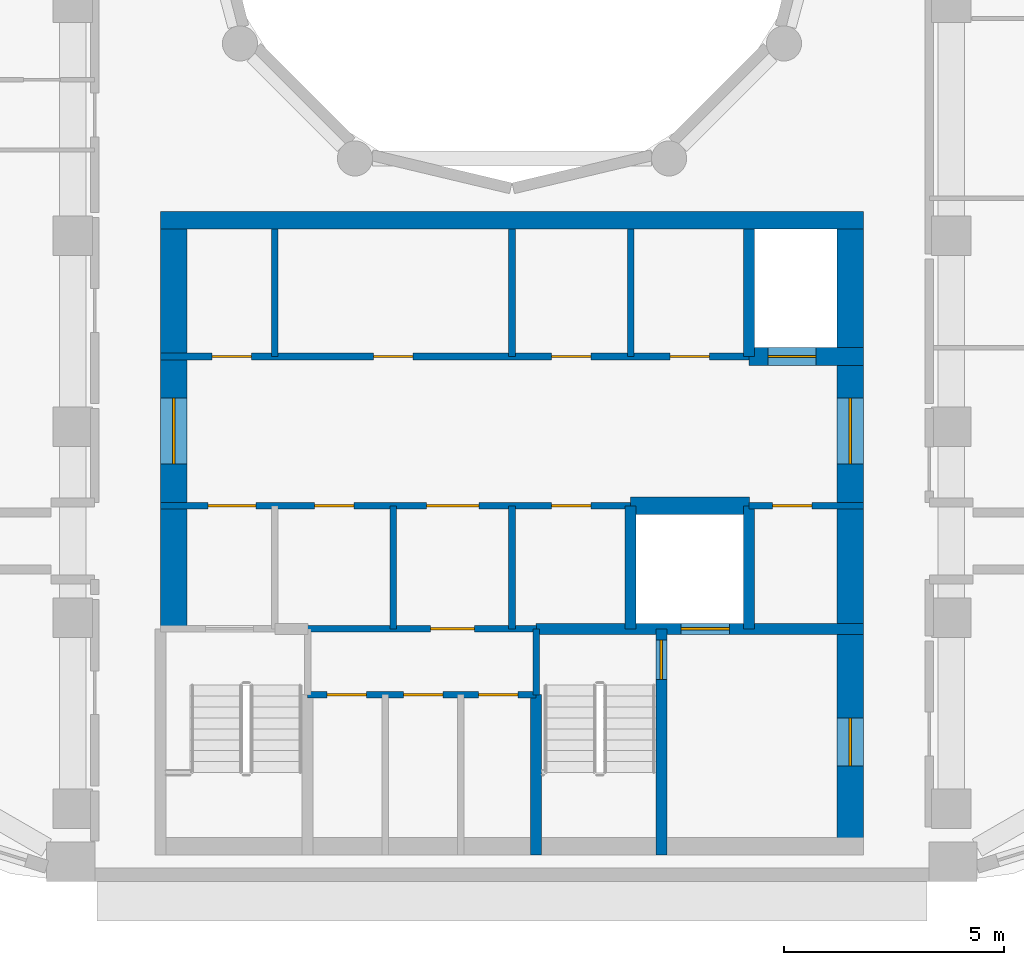
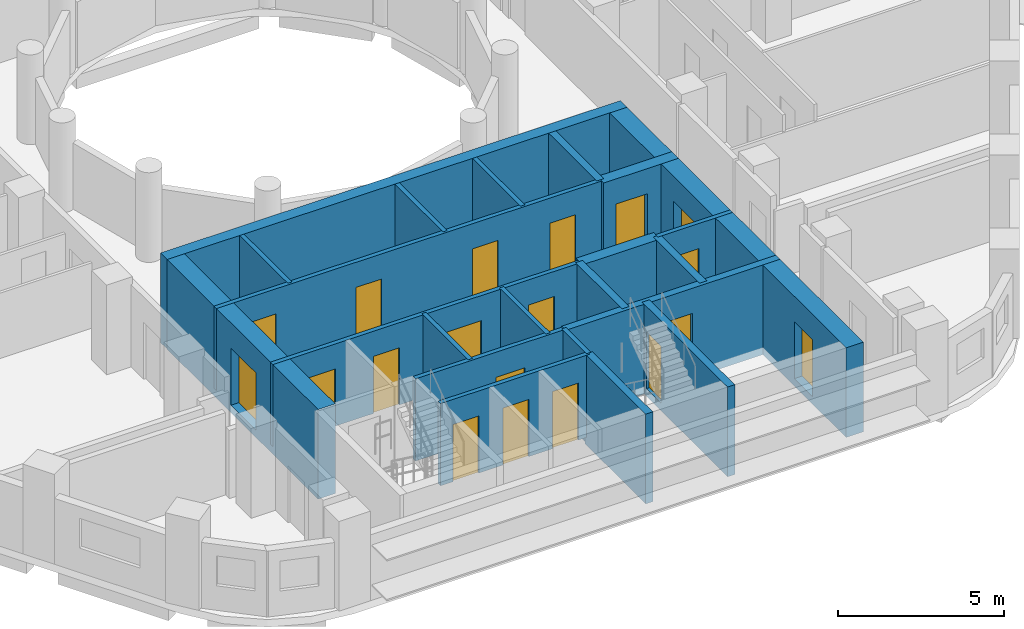
# One storey, part 3 of 12: 22 walls, 19 doors, 19 openings.
"""IFC4 building model written with IfcOpenShell, lengths in metres."""

from ifc_helpers import new_model, si_unit, direction, frame, frame_2d, origin, place, context, subcontext, project, spatial, rectangle, extrude, material, layer, layer_set, type_object, element, fill, save


model = new_model("IFC4")

# Units and contexts
model_context = context("Model", 3, precision=1e-05, world=origin(), true_north=direction((0.0, 1.0)))
body_context = subcontext(model_context, "Body", "Model", "MODEL_VIEW")
ifc_project = project(units=[si_unit("LENGTHUNIT", "METRE"), si_unit("AREAUNIT", "SQUARE_METRE"), si_unit("VOLUMEUNIT", "CUBIC_METRE"), si_unit("PLANEANGLEUNIT", "RADIAN"), si_unit("MASSUNIT", "GRAM", prefix="KILO")], contexts=[model_context])

# Site, building, storey
site_placement = place(None, origin())
site = spatial("IfcSite", under=ifc_project, at=site_placement, CompositionType="ELEMENT")
building_placement = place(site_placement, origin())
building = spatial("IfcBuilding", under=site, at=building_placement, Name="Nakaniwa Court", CompositionType="ELEMENT")
storey_placement = place(building_placement, frame((0.0, 0.0, 249.300048828125)))
storey = spatial("IfcBuildingStorey", under=building, at=storey_placement, Name="L65", CompositionType="ELEMENT", Elevation=249.300048828125)

# Wall
ifc_material_1 = material(Name="Blockwork partition", Category="masonry")
ifc_layer_1 = layer(ifc_material_1, 0.14990234375)
ifc_layer_set_1 = layer_set([ifc_layer_1], Name="Blockwork partition")
wall_type_1 = type_object("IfcWallType", Name="Blockwork partition 150", PredefinedType="PARTITIONING", material=ifc_layer_set_1)
wall_1_placement = place(storey_placement, frame((74.60009765625, 69.300048828125, 0.0), z_axis=(0.0, 0.0, 1.0), x_axis=(0.0, 1.0, 0.0)))
element("IfcWall", 1, at=wall_1_placement, inside=storey, type_object=wall_type_1, Name="Partition PW-031", PredefinedType="PARTITIONING", context=body_context, shape_type="SweptSolid", body=[
    extrude(rectangle(XDim=2.89990234375, YDim=0.14990234375, at=frame_2d((1.449951171875, 0.0))), origin(), (0.0, 0.0, 1.0), 3.02490234375),
])

# Wall, openings, doors
wall_2_placement = place(storey_placement, frame((72.0, 69.300048828125, 0.0), z_axis=(0.0, 0.0, 1.0), x_axis=(1.0, 0.0, 0.0)))
wall_2 = element("IfcWall", 2, at=wall_2_placement, inside=storey, type_object=wall_type_1, Name="Partition PW-032", PredefinedType="PARTITIONING", context=body_context, shape_type="SweptSolid", body=[
    extrude(rectangle(XDim=13.39990234375, YDim=0.14990234375, at=frame_2d((6.699951171875, 0.0))), origin(), (0.0, 0.0, 1.0), 3.02490234375),
])
opening_1_placement = place(wall_2_placement, frame((1.175048828125, 0.0, 0.0)))
opening_1 = element("IfcOpeningElement", 3, at=opening_1_placement, cuts=wall_2, Name="Opening D-05-11", PredefinedType="OPENING", context=body_context, shape_type="SweptSolid", body=[
    extrude(rectangle(XDim=0.89990234375, YDim=2.10009765625, at=frame_2d((0.449951171875, 1.050048828125))), frame((0.0, 0.0849609375, 0.0), z_axis=(0.0, -1.0, 0.0), x_axis=(1.0, 0.0, 0.0)), (0.0, 0.0, 1.0), 0.169921875),
])
opening_2_placement = place(wall_2_placement, frame((4.85009765625, 0.0, 0.0)))
opening_2 = element("IfcOpeningElement", 4, at=opening_2_placement, cuts=wall_2, Name="Opening D-05-12", PredefinedType="OPENING", context=body_context, shape_type="SweptSolid", body=[
    extrude(rectangle(XDim=0.89990234375, YDim=2.10009765625, at=frame_2d((0.449951171875, 1.050048828125))), frame((0.0, 0.0849609375, 0.0), z_axis=(0.0, -1.0, 0.0), x_axis=(1.0, 0.0, 0.0)), (0.0, 0.0, 1.0), 0.169921875),
])
opening_3_placement = place(wall_2_placement, frame((8.89990234375, 0.0, 0.0)))
opening_3 = element("IfcOpeningElement", 5, at=opening_3_placement, cuts=wall_2, Name="Opening D-05-13", PredefinedType="OPENING", context=body_context, shape_type="SweptSolid", body=[
    extrude(rectangle(XDim=0.89990234375, YDim=2.10009765625, at=frame_2d((0.449951171875, 1.050048828125))), frame((0.0, 0.0849609375, 0.0), z_axis=(0.0, -1.0, 0.0), x_axis=(1.0, 0.0, 0.0)), (0.0, 0.0, 1.0), 0.169921875),
])
opening_4_placement = place(wall_2_placement, frame((11.60009765625, 0.0, 0.0)))
opening_4 = element("IfcOpeningElement", 6, at=opening_4_placement, cuts=wall_2, Name="Opening D-05-14", PredefinedType="OPENING", context=body_context, shape_type="SweptSolid", body=[
    extrude(rectangle(XDim=0.89990234375, YDim=2.10009765625, at=frame_2d((0.449951171875, 1.050048828125))), frame((0.0, 0.0849609375, 0.0), z_axis=(0.0, -1.0, 0.0), x_axis=(1.0, 0.0, 0.0)), (0.0, 0.0, 1.0), 0.169921875),
])
ifc_material_2 = material(Name="Fire rated steel door set", Category="steel")
door_type_1 = type_object("IfcDoorType", Name="Service room door 900", OperationType="NOTDEFINED", PredefinedType="DOOR", material=ifc_material_2)
door_1_placement = place(opening_1_placement, origin())
door_1 = element("IfcDoor", 7, at=door_1_placement, inside=storey, type_object=door_type_1, Name="Door D-05-11 L65-016", OperationType="SINGLE_SWING_LEFT", OverallHeight=2.10009765625, OverallWidth=0.89990234375, PredefinedType="DOOR", context=body_context, shape_type="SweptSolid", body=[
    extrude(rectangle(XDim=0.89990234375, YDim=2.10009765625, at=frame_2d((0.449951171875, 1.050048828125))), frame((0.0, 0.02490234375, 0.0), z_axis=(0.0, -1.0, 0.0), x_axis=(1.0, 0.0, 0.0)), (0.0, 0.0, 1.0), 0.050048828125),
])
fill(opening_1, door_1)
door_2_placement = place(opening_2_placement, origin())
door_2 = element("IfcDoor", 8, at=door_2_placement, inside=storey, type_object=door_type_1, Name="Door D-05-12 L65-017", OperationType="SINGLE_SWING_RIGHT", OverallHeight=2.10009765625, OverallWidth=0.89990234375, PredefinedType="DOOR", context=body_context, shape_type="SweptSolid", body=[
    extrude(rectangle(XDim=0.89990234375, YDim=2.10009765625, at=frame_2d((0.449951171875, 1.050048828125))), frame((0.0, 0.02490234375, 0.0), z_axis=(0.0, -1.0, 0.0), x_axis=(1.0, 0.0, 0.0)), (0.0, 0.0, 1.0), 0.050048828125),
])
fill(opening_2, door_2)
door_3_placement = place(opening_3_placement, origin())
door_3 = element("IfcDoor", 9, at=door_3_placement, inside=storey, type_object=door_type_1, Name="Door D-05-13 L65-018", OperationType="SINGLE_SWING_LEFT", OverallHeight=2.10009765625, OverallWidth=0.89990234375, PredefinedType="DOOR", context=body_context, shape_type="SweptSolid", body=[
    extrude(rectangle(XDim=0.89990234375, YDim=2.10009765625, at=frame_2d((0.449951171875, 1.050048828125))), frame((0.0, 0.02490234375, 0.0), z_axis=(0.0, -1.0, 0.0), x_axis=(1.0, 0.0, 0.0)), (0.0, 0.0, 1.0), 0.050048828125),
])
fill(opening_3, door_3)
door_4_placement = place(opening_4_placement, origin())
door_4 = element("IfcDoor", 10, at=door_4_placement, inside=storey, type_object=door_type_1, Name="Door D-05-14 L65-019", OperationType="SINGLE_SWING_RIGHT", OverallHeight=2.10009765625, OverallWidth=0.89990234375, PredefinedType="DOOR", context=body_context, shape_type="SweptSolid", body=[
    extrude(rectangle(XDim=0.89990234375, YDim=2.10009765625, at=frame_2d((0.449951171875, 1.050048828125))), frame((0.0, 0.02490234375, 0.0), z_axis=(0.0, -1.0, 0.0), x_axis=(1.0, 0.0, 0.0)), (0.0, 0.0, 1.0), 0.050048828125),
])
fill(opening_4, door_4)

# Walls
wall_3_placement = place(storey_placement, frame((80.0, 63.10009765625, 0.0), z_axis=(0.0, 0.0, 1.0), x_axis=(0.0, 1.0, 0.0)))
element("IfcWall", 11, at=wall_3_placement, inside=storey, type_object=wall_type_1, Name="Partition PW-038", PredefinedType="PARTITIONING", context=body_context, shape_type="SweptSolid", body=[
    extrude(rectangle(XDim=2.7998046875, YDim=0.14990234375, at=frame_2d((1.39990234375, 0.0))), origin(), (0.0, 0.0, 1.0), 3.02490234375),
])
for number, where, z_axis, x_axis, name in (
    (12, (80.0, 69.300048828125, 0.0), (0.0, 0.0, 1.0), (0.0, 1.0, 0.0), "Partition PW-039"),
    (13, (82.699951171875, 69.300048828125, 0.0), (0.0, 0.0, 1.0), (0.0, 1.0, 0.0), "Partition PW-040"),
):
    element("IfcWall", number, at=place(storey_placement, frame(where, z_axis=z_axis, x_axis=x_axis)), inside=storey, type_object=wall_type_1, Name=name, PredefinedType="PARTITIONING", context=body_context, shape_type="SweptSolid", body=[
        extrude(rectangle(XDim=2.89990234375, YDim=0.14990234375, at=frame_2d((1.449951171875, 0.0))), origin(), (0.0, 0.0, 1.0), 3.02490234375),
    ])

# Wall, openings, doors
wall_4_placement = place(storey_placement, frame((82.702880859375, 65.89990234375, 0.0), z_axis=(0.0, 0.0, 1.0), x_axis=(-1.0, 0.0, 0.0)))
wall_4 = element("IfcWall", 14, at=wall_4_placement, inside=storey, type_object=wall_type_1, Name="Partition PW-041", PredefinedType="PARTITIONING", context=body_context, shape_type="SweptSolid", body=[
    extrude(rectangle(XDim=10.702880859375, YDim=0.14990234375, at=frame_2d((5.3515625, 0.0))), origin(), (0.0, 0.0, 1.0), 3.02490234375),
])
opening_5_placement = place(wall_4_placement, frame((8.528076171875, 0.0, 0.0)))
opening_5 = element("IfcOpeningElement", 15, at=opening_5_placement, cuts=wall_4, Name="Opening D-08-02", PredefinedType="OPENING", context=body_context, shape_type="SweptSolid", body=[
    extrude(rectangle(XDim=1.10009765625, YDim=2.10009765625, at=frame_2d((0.550048828125, 1.050048828125))), frame((0.0, 0.0849609375, 0.0), z_axis=(0.0, -1.0, 0.0), x_axis=(1.0, 0.0, 0.0)), (0.0, 0.0, 1.0), 0.169921875),
])
opening_6_placement = place(wall_4_placement, frame((6.302978515625, 0.0, 0.0)))
opening_6 = element("IfcOpeningElement", 16, at=opening_6_placement, cuts=wall_4, Name="Opening D-05-15", PredefinedType="OPENING", context=body_context, shape_type="SweptSolid", body=[
    extrude(rectangle(XDim=0.89990234375, YDim=2.10009765625, at=frame_2d((0.449951171875, 1.050048828125))), frame((0.0, 0.0849609375, 0.0), z_axis=(0.0, -1.0, 0.0), x_axis=(1.0, 0.0, 0.0)), (0.0, 0.0, 1.0), 0.169921875),
])
opening_7_placement = place(wall_4_placement, frame((3.452880859375, 0.0, 0.0)))
opening_7 = element("IfcOpeningElement", 17, at=opening_7_placement, cuts=wall_4, Name="Opening D-06-02", PredefinedType="OPENING", context=body_context, shape_type="SweptSolid", body=[
    extrude(rectangle(XDim=1.199951171875, YDim=2.10009765625, at=frame_2d((0.60009765625, 1.050048828125))), frame((0.0, 0.0849609375, 0.0), z_axis=(0.0, -1.0, 0.0), x_axis=(1.0, 0.0, 0.0)), (0.0, 0.0, 1.0), 0.169921875),
])
opening_8_placement = place(wall_4_placement, frame((0.903076171875, 0.0, 0.0)))
opening_8 = element("IfcOpeningElement", 18, at=opening_8_placement, cuts=wall_4, Name="Opening D-05-16", PredefinedType="OPENING", context=body_context, shape_type="SweptSolid", body=[
    extrude(rectangle(XDim=0.89990234375, YDim=2.10009765625, at=frame_2d((0.449951171875, 1.050048828125))), frame((0.0, 0.0849609375, 0.0), z_axis=(0.0, -1.0, 0.0), x_axis=(1.0, 0.0, 0.0)), (0.0, 0.0, 1.0), 0.169921875),
])
ifc_material_3 = material(Name="Fire rated steel double door set", Category="steel")
door_type_2 = type_object("IfcDoorType", Name="Service passage double door 1200", OperationType="NOTDEFINED", PredefinedType="DOOR", material=ifc_material_3)
door_5_placement = place(opening_7_placement, origin())
door_5 = element("IfcDoor", 19, at=door_5_placement, inside=storey, type_object=door_type_2, Name="Door D-06-02 L65-022", OperationType="DOUBLE_DOOR_SINGLE_SWING", OverallHeight=2.10009765625, OverallWidth=1.199951171875, PredefinedType="DOOR", context=body_context, shape_type="SweptSolid", body=[
    extrude(rectangle(XDim=1.199951171875, YDim=2.10009765625, at=frame_2d((0.60009765625, 1.050048828125))), frame((0.0, 0.02490234375, 0.0), z_axis=(0.0, -1.0, 0.0), x_axis=(1.0, 0.0, 0.0)), (0.0, 0.0, 1.0), 0.050048828125),
])
fill(opening_7, door_5)
door_6_placement = place(opening_6_placement, origin())
door_6 = element("IfcDoor", 20, at=door_6_placement, inside=storey, type_object=door_type_1, Name="Door D-05-15 L65-021", OperationType="SINGLE_SWING_RIGHT", OverallHeight=2.10009765625, OverallWidth=0.89990234375, PredefinedType="DOOR", context=body_context, shape_type="SweptSolid", body=[
    extrude(rectangle(XDim=0.89990234375, YDim=2.10009765625, at=frame_2d((0.449951171875, 1.050048828125))), frame((0.0, 0.02490234375, 0.0), z_axis=(0.0, -1.0, 0.0), x_axis=(1.0, 0.0, 0.0)), (0.0, 0.0, 1.0), 0.050048828125),
])
fill(opening_6, door_6)
door_7_placement = place(opening_8_placement, origin())
door_7 = element("IfcDoor", 21, at=door_7_placement, inside=storey, type_object=door_type_1, Name="Door D-05-16 L65-023", OperationType="SINGLE_SWING_RIGHT", OverallHeight=2.10009765625, OverallWidth=0.89990234375, PredefinedType="DOOR", context=body_context, shape_type="SweptSolid", body=[
    extrude(rectangle(XDim=0.89990234375, YDim=2.10009765625, at=frame_2d((0.449951171875, 1.050048828125))), frame((0.0, 0.02490234375, 0.0), z_axis=(0.0, -1.0, 0.0), x_axis=(1.0, 0.0, 0.0)), (0.0, 0.0, 1.0), 0.050048828125),
])
fill(opening_8, door_7)
door_type_3 = type_object("IfcDoorType", Name="Stair lobby door 1100", OperationType="NOTDEFINED", PredefinedType="DOOR", material=ifc_material_2)
door_8_placement = place(opening_5_placement, origin())
door_8 = element("IfcDoor", 22, at=door_8_placement, inside=storey, type_object=door_type_3, Name="Door D-08-02 L65-020", OperationType="SINGLE_SWING_LEFT", OverallHeight=2.10009765625, OverallWidth=1.10009765625, PredefinedType="DOOR", context=body_context, shape_type="SweptSolid", body=[
    extrude(rectangle(XDim=1.10009765625, YDim=2.10009765625, at=frame_2d((0.550048828125, 1.050048828125))), frame((0.0, 0.02490234375, 0.0), z_axis=(0.0, -1.0, 0.0), x_axis=(1.0, 0.0, 0.0)), (0.0, 0.0, 1.0), 0.050048828125),
])
fill(opening_5, door_8)

# Wall, opening, door
wall_5_placement = place(storey_placement, frame((88.0, 65.89990234375, 0.0), z_axis=(0.0, 0.0, 1.0), x_axis=(-1.0, 0.0, 0.0)))
wall_5 = element("IfcWall", 23, at=wall_5_placement, inside=storey, type_object=wall_type_1, Name="Partition PW-042", PredefinedType="PARTITIONING", context=body_context, shape_type="SweptSolid", body=[
    extrude(rectangle(XDim=2.60302734375, YDim=0.14990234375, at=frame_2d((1.301513671875, 0.0))), origin(), (0.0, 0.0, 1.0), 3.02490234375),
])
opening_9_placement = place(wall_5_placement, frame((1.175048828125, 0.0, 0.0)))
opening_9 = element("IfcOpeningElement", 24, at=opening_9_placement, cuts=wall_5, Name="Opening D-05-17", PredefinedType="OPENING", context=body_context, shape_type="SweptSolid", body=[
    extrude(rectangle(XDim=0.89990234375, YDim=2.10009765625, at=frame_2d((0.449951171875, 1.050048828125))), frame((0.0, 0.0849609375, 0.0), z_axis=(0.0, -1.0, 0.0), x_axis=(1.0, 0.0, 0.0)), (0.0, 0.0, 1.0), 0.169921875),
])
door_9_placement = place(opening_9_placement, origin())
door_9 = element("IfcDoor", 25, at=door_9_placement, inside=storey, type_object=door_type_1, Name="Door D-05-17 L65-024", OperationType="SINGLE_SWING_LEFT", OverallHeight=2.10009765625, OverallWidth=0.89990234375, PredefinedType="DOOR", context=body_context, shape_type="SweptSolid", body=[
    extrude(rectangle(XDim=0.89990234375, YDim=2.10009765625, at=frame_2d((0.449951171875, 1.050048828125))), frame((0.0, 0.02490234375, 0.0), z_axis=(0.0, -1.0, 0.0), x_axis=(1.0, 0.0, 0.0)), (0.0, 0.0, 1.0), 0.050048828125),
])
fill(opening_9, door_9)

# Wall
wall_6_placement = place(storey_placement, frame((77.300048828125, 63.10009765625, 0.0), z_axis=(0.0, 0.0, 1.0), x_axis=(0.0, 1.0, 0.0)))
element("IfcWall", 26, at=wall_6_placement, inside=storey, type_object=wall_type_1, Name="Partition PW-045", PredefinedType="PARTITIONING", context=body_context, shape_type="SweptSolid", body=[
    extrude(rectangle(XDim=2.7998046875, YDim=0.14990234375, at=frame_2d((1.39990234375, 0.0))), origin(), (0.0, 0.0, 1.0), 3.02490234375),
])

# Wall, opening, door
wall_7_placement = place(storey_placement, frame((80.552978515625, 63.10009765625, 0.0), z_axis=(0.0, 0.0, 1.0), x_axis=(-1.0, 0.0, 0.0)))
wall_7 = element("IfcWall", 27, at=wall_7_placement, inside=storey, type_object=wall_type_1, Name="Partition PW-048", PredefinedType="PARTITIONING", context=body_context, shape_type="SweptSolid", body=[
    extrude(rectangle(XDim=5.2060546875, YDim=0.14990234375, at=frame_2d((2.60302734375, 0.0))), origin(), (0.0, 0.0, 1.0), 3.02490234375),
])
opening_10_placement = place(wall_7_placement, frame((1.403076171875, 0.0, 0.0)))
opening_10 = element("IfcOpeningElement", 28, at=opening_10_placement, cuts=wall_7, Name="Opening D-23-02", PredefinedType="OPENING", context=body_context, shape_type="SweptSolid", body=[
    extrude(rectangle(XDim=1.0, YDim=2.10009765625, at=frame_2d((0.5, 1.050048828125))), frame((0.0, 0.0849609375, 0.0), z_axis=(0.0, -1.0, 0.0), x_axis=(1.0, 0.0, 0.0)), (0.0, 0.0, 1.0), 0.169921875),
])
door_type_4 = type_object("IfcDoorType", Name="Service room door 1000", OperationType="NOTDEFINED", PredefinedType="DOOR", material=ifc_material_2)
door_10_placement = place(opening_10_placement, origin())
door_10 = element("IfcDoor", 29, at=door_10_placement, inside=storey, type_object=door_type_4, Name="Door D-23-02 L65-025", OperationType="SINGLE_SWING_RIGHT", OverallHeight=2.10009765625, OverallWidth=1.0, PredefinedType="DOOR", context=body_context, shape_type="SweptSolid", body=[
    extrude(rectangle(XDim=1.0, YDim=2.10009765625, at=frame_2d((0.5, 1.050048828125))), frame((0.0, 0.02490234375, 0.0), z_axis=(0.0, -1.0, 0.0), x_axis=(1.0, 0.0, 0.0)), (0.0, 0.0, 1.0), 0.050048828125),
])
fill(opening_10, door_10)

# Wall, openings, doors
wall_8_placement = place(storey_placement, frame((80.550048828125, 61.60009765625, 0.0), z_axis=(0.0, 0.0, 1.0), x_axis=(-1.0, 0.0, 0.0)))
wall_8 = element("IfcWall", 30, at=wall_8_placement, inside=storey, type_object=wall_type_1, Name="Partition PW-056", PredefinedType="PARTITIONING", context=body_context, shape_type="SweptSolid", body=[
    extrude(rectangle(XDim=5.199951171875, YDim=0.14990234375, at=frame_2d((2.60009765625, 0.0))), origin(), (0.0, 0.0, 1.0), 3.02490234375),
])
opening_11_placement = place(wall_8_placement, frame((3.865966796875, 0.0, 0.0)))
opening_11 = element("IfcOpeningElement", 31, at=opening_11_placement, cuts=wall_8, Name="Opening D-05-18", PredefinedType="OPENING", context=body_context, shape_type="SweptSolid", body=[
    extrude(rectangle(XDim=0.89990234375, YDim=2.10009765625, at=frame_2d((0.449951171875, 1.050048828125))), frame((0.0, 0.0849609375, 0.0), z_axis=(0.0, -1.0, 0.0), x_axis=(1.0, 0.0, 0.0)), (0.0, 0.0, 1.0), 0.169921875),
])
opening_12_placement = place(wall_8_placement, frame((2.1240234375, 0.0, 0.0)))
opening_12 = element("IfcOpeningElement", 32, at=opening_12_placement, cuts=wall_8, Name="Opening D-05-19", PredefinedType="OPENING", context=body_context, shape_type="SweptSolid", body=[
    extrude(rectangle(XDim=0.89990234375, YDim=2.10009765625, at=frame_2d((0.449951171875, 1.050048828125))), frame((0.0, 0.0849609375, 0.0), z_axis=(0.0, -1.0, 0.0), x_axis=(1.0, 0.0, 0.0)), (0.0, 0.0, 1.0), 0.169921875),
])
opening_13_placement = place(wall_8_placement, frame((0.407958984375, 0.0, 0.0)))
opening_13 = element("IfcOpeningElement", 33, at=opening_13_placement, cuts=wall_8, Name="Opening D-05-20", PredefinedType="OPENING", context=body_context, shape_type="SweptSolid", body=[
    extrude(rectangle(XDim=0.89990234375, YDim=2.10009765625, at=frame_2d((0.449951171875, 1.050048828125))), frame((0.0, 0.0849609375, 0.0), z_axis=(0.0, -1.0, 0.0), x_axis=(1.0, 0.0, 0.0)), (0.0, 0.0, 1.0), 0.169921875),
])
door_11_placement = place(opening_11_placement, origin())
door_11 = element("IfcDoor", 34, at=door_11_placement, inside=storey, type_object=door_type_1, Name="Door D-05-18 L65-026", OperationType="SINGLE_SWING_LEFT", OverallHeight=2.10009765625, OverallWidth=0.89990234375, PredefinedType="DOOR", context=body_context, shape_type="SweptSolid", body=[
    extrude(rectangle(XDim=0.89990234375, YDim=2.10009765625, at=frame_2d((0.449951171875, 1.050048828125))), frame((0.0, 0.02490234375, 0.0), z_axis=(0.0, -1.0, 0.0), x_axis=(1.0, 0.0, 0.0)), (0.0, 0.0, 1.0), 0.050048828125),
])
fill(opening_11, door_11)
door_12_placement = place(opening_12_placement, origin())
door_12 = element("IfcDoor", 35, at=door_12_placement, inside=storey, type_object=door_type_1, Name="Door D-05-19 L65-027", OperationType="SINGLE_SWING_RIGHT", OverallHeight=2.10009765625, OverallWidth=0.89990234375, PredefinedType="DOOR", context=body_context, shape_type="SweptSolid", body=[
    extrude(rectangle(XDim=0.89990234375, YDim=2.10009765625, at=frame_2d((0.449951171875, 1.050048828125))), frame((0.0, 0.02490234375, 0.0), z_axis=(0.0, -1.0, 0.0), x_axis=(1.0, 0.0, 0.0)), (0.0, 0.0, 1.0), 0.050048828125),
])
fill(opening_12, door_12)
door_13_placement = place(opening_13_placement, origin())
door_13 = element("IfcDoor", 36, at=door_13_placement, inside=storey, type_object=door_type_1, Name="Door D-05-20 L65-028", OperationType="SINGLE_SWING_LEFT", OverallHeight=2.10009765625, OverallWidth=0.89990234375, PredefinedType="DOOR", context=body_context, shape_type="SweptSolid", body=[
    extrude(rectangle(XDim=0.89990234375, YDim=2.10009765625, at=frame_2d((0.449951171875, 1.050048828125))), frame((0.0, 0.02490234375, 0.0), z_axis=(0.0, -1.0, 0.0), x_axis=(1.0, 0.0, 0.0)), (0.0, 0.0, 1.0), 0.050048828125),
])
fill(opening_13, door_13)

# Wall, opening, door
ifc_material_4 = material(Name="Concrete C80/100", Category="concrete")
ifc_layer_2 = layer(ifc_material_4, 0.60009765625)
ifc_layer_set_2 = layer_set([ifc_layer_2], Name="Concrete C80/100")
wall_type_2 = type_object("IfcWallType", Name="Concrete core side wall 600 C80", PredefinedType="SHEAR", material=ifc_layer_set_2)
wall_9_placement = place(storey_placement, frame((72.300048828125, 63.10009765625, -0.275146484375), z_axis=(0.0, 0.0, 1.0), x_axis=(0.0, 1.0, 0.0)))
wall_9 = element("IfcWall", 37, at=wall_9_placement, inside=storey, type_object=wall_type_2, Name="Core wall SW-33", PredefinedType="SHEAR", context=body_context, shape_type="SweptSolid", body=[
    extrude(rectangle(XDim=9.099853515625, YDim=0.60009765625, at=frame_2d((4.5498046875, 0.0))), origin(), (0.0, 0.0, 1.0), 3.300048828125),
])
opening_14_placement = place(wall_9_placement, frame((3.75, 0.0, 0.27490234375)))
opening_14 = element("IfcOpeningElement", 38, at=opening_14_placement, cuts=wall_9, Name="Opening D-07-04", PredefinedType="OPENING", context=body_context, shape_type="SweptSolid", body=[
    extrude(rectangle(XDim=1.5, YDim=2.10009765625, at=frame_2d((0.75, 1.050048828125))), frame((0.0, 0.31005859375, 0.0), z_axis=(0.0, -1.0, 0.0), x_axis=(1.0, 0.0, 0.0)), (0.0, 0.0, 1.0), 0.6201171875),
])
ifc_material_5 = material(Name="Glazed fire rated steel double door set", Category="steel")
door_type_5 = type_object("IfcDoorType", Name="Lobby double door 1500", OperationType="NOTDEFINED", PredefinedType="DOOR", material=ifc_material_5)
door_14_placement = place(opening_14_placement, origin())
door_14 = element("IfcDoor", 39, at=door_14_placement, inside=storey, type_object=door_type_5, Name="Door D-07-04 L65-067", OperationType="DOUBLE_DOOR_SINGLE_SWING", OverallHeight=2.10009765625, OverallWidth=1.5, PredefinedType="DOOR", context=body_context, shape_type="SweptSolid", body=[
    extrude(rectangle(XDim=1.5, YDim=2.10009765625, at=frame_2d((0.75, 1.050048828125))), frame((0.0, 0.02490234375, 0.0), z_axis=(0.0, -1.0, 0.0), x_axis=(1.0, 0.0, 0.0)), (0.0, 0.0, 1.0), 0.050048828125),
])
fill(opening_14, door_14)

# Wall, openings, doors
wall_10_placement = place(storey_placement, frame((87.699951171875, 72.199951171875, -0.275146484375), z_axis=(0.0, 0.0, 1.0), x_axis=(0.0, -1.0, 0.0)))
wall_10 = element("IfcWall", 40, at=wall_10_placement, inside=storey, type_object=wall_type_2, Name="Core wall SW-37", PredefinedType="SHEAR", context=body_context, shape_type="SweptSolid", body=[
    extrude(rectangle(XDim=14.25, YDim=0.60009765625, at=frame_2d((7.125, 0.0))), origin(), (0.0, 0.0, 1.0), 3.300048828125),
])
opening_15_placement = place(wall_10_placement, frame((3.85009765625, 0.0, 0.27490234375)))
opening_15 = element("IfcOpeningElement", 41, at=opening_15_placement, cuts=wall_10, Name="Opening D-07-03", PredefinedType="OPENING", context=body_context, shape_type="SweptSolid", body=[
    extrude(rectangle(XDim=1.5, YDim=2.10009765625, at=frame_2d((0.75, 1.050048828125))), frame((0.0, 0.31005859375, 0.0), z_axis=(0.0, -1.0, 0.0), x_axis=(1.0, 0.0, 0.0)), (0.0, 0.0, 1.0), 0.6201171875),
])
opening_16_placement = place(wall_10_placement, frame((11.125, 0.0, 0.27490234375)))
opening_16 = element("IfcOpeningElement", 42, at=opening_16_placement, cuts=wall_10, Name="Opening D-10-02", PredefinedType="OPENING", context=body_context, shape_type="SweptSolid", body=[
    extrude(rectangle(XDim=1.10009765625, YDim=2.10009765625, at=frame_2d((0.550048828125, 1.050048828125))), frame((0.0, 0.31005859375, 0.0), z_axis=(0.0, -1.0, 0.0), x_axis=(1.0, 0.0, 0.0)), (0.0, 0.0, 1.0), 0.6201171875),
])
door_type_6 = type_object("IfcDoorType", Name="Firefighting lobby door 1100", OperationType="NOTDEFINED", PredefinedType="DOOR", material=ifc_material_2)
door_15_placement = place(opening_16_placement, origin())
door_15 = element("IfcDoor", 43, at=door_15_placement, inside=storey, type_object=door_type_6, Name="Door D-10-02 L65-068", OperationType="SINGLE_SWING_LEFT", OverallHeight=2.10009765625, OverallWidth=1.10009765625, PredefinedType="DOOR", context=body_context, shape_type="SweptSolid", body=[
    extrude(rectangle(XDim=1.10009765625, YDim=2.10009765625, at=frame_2d((0.550048828125, 1.050048828125))), frame((0.0, 0.02490234375, 0.0), z_axis=(0.0, -1.0, 0.0), x_axis=(1.0, 0.0, 0.0)), (0.0, 0.0, 1.0), 0.050048828125),
])
fill(opening_16, door_15)
door_16_placement = place(opening_15_placement, origin())
door_16 = element("IfcDoor", 44, at=door_16_placement, inside=storey, type_object=door_type_5, Name="Door D-07-03 L65-066", OperationType="DOUBLE_DOOR_SINGLE_SWING", OverallHeight=2.10009765625, OverallWidth=1.5, PredefinedType="DOOR", context=body_context, shape_type="SweptSolid", body=[
    extrude(rectangle(XDim=1.5, YDim=2.10009765625, at=frame_2d((0.75, 1.050048828125))), frame((0.0, 0.02490234375, 0.0), z_axis=(0.0, -1.0, 0.0), x_axis=(1.0, 0.0, 0.0)), (0.0, 0.0, 1.0), 0.050048828125),
])
fill(opening_15, door_16)

# Wall, opening, door
ifc_layer_3 = layer(ifc_material_4, 0.39990234375)
ifc_layer_set_3 = layer_set([ifc_layer_3], Name="Concrete C80/100")
wall_type_3 = type_object("IfcWallType", Name="Concrete core spine wall 400 C80", PredefinedType="SHEAR", material=ifc_layer_set_3)
wall_11_placement = place(storey_placement, frame((85.39990234375, 69.300048828125, -0.275146484375), z_axis=(0.0, 0.0, 1.0), x_axis=(1.0, 0.0, 0.0)))
wall_11 = element("IfcWall", 45, at=wall_11_placement, inside=storey, type_object=wall_type_3, Name="Core wall SW-36", PredefinedType="SHEAR", context=body_context, shape_type="SweptSolid", body=[
    extrude(rectangle(XDim=2.60009765625, YDim=0.39990234375, at=frame_2d((1.300048828125, 0.0))), origin(), (0.0, 0.0, 1.0), 3.300048828125),
])
opening_17_placement = place(wall_11_placement, frame((0.425048828125, 0.0, 0.27490234375)))
opening_17 = element("IfcOpeningElement", 46, at=opening_17_placement, cuts=wall_11, Name="Opening LD03", PredefinedType="OPENING", context=body_context, shape_type="SweptSolid", body=[
    extrude(rectangle(XDim=1.10009765625, YDim=2.10009765625, at=frame_2d((0.550048828125, 1.050048828125))), frame((0.0, 0.2099609375, 0.0), z_axis=(0.0, -1.0, 0.0), x_axis=(1.0, 0.0, 0.0)), (0.0, 0.0, 1.0), 0.419921875),
])
ifc_material_6 = material(Name="Stainless steel sliding lift landing door", Category="steel")
door_type_7 = type_object("IfcDoorType", Name="Lift landing door 1100", OperationType="NOTDEFINED", PredefinedType="DOOR", material=ifc_material_6)
door_17_placement = place(opening_17_placement, origin())
door_17 = element("IfcDoor", 47, at=door_17_placement, inside=storey, type_object=door_type_7, Name="Lift landing door LD03 L65-003", OperationType="SLIDING_TO_LEFT", OverallHeight=2.10009765625, OverallWidth=1.10009765625, PredefinedType="DOOR", context=body_context, shape_type="SweptSolid", body=[
    extrude(rectangle(XDim=1.10009765625, YDim=2.10009765625, at=frame_2d((0.550048828125, 1.050048828125))), frame((0.0, 0.02490234375, 0.0), z_axis=(0.0, -1.0, 0.0), x_axis=(1.0, 0.0, 0.0)), (0.0, 0.0, 1.0), 0.050048828125),
])
fill(opening_17, door_17)

# Walls
wall_12_placement = place(storey_placement, frame((82.697021484375, 65.89990234375, -0.275146484375), z_axis=(0.0, 0.0, 1.0), x_axis=(1.0, 0.0, 0.0)))
element("IfcWall", 48, at=wall_12_placement, inside=storey, type_object=wall_type_3, Name="Core wall SW-43", PredefinedType="SHEAR", context=body_context, shape_type="SweptSolid", body=[
    extrude(rectangle(XDim=2.7060546875, YDim=0.39990234375, at=frame_2d((1.35302734375, 0.0))), origin(), (0.0, 0.0, 1.0), 3.300048828125),
])
ifc_layer_4 = layer(ifc_material_4, 0.14990234375)
ifc_layer_set_4 = layer_set([ifc_layer_4], Name="Concrete C80/100")
wall_type_4 = type_object("IfcWallType", Name="Concrete core wall 150 C80", PredefinedType="SHEAR", material=ifc_layer_set_4)
wall_13_placement = place(storey_placement, frame((80.550048828125, 61.596923828125, -0.275146484375), z_axis=(0.0, 0.0, 1.0), x_axis=(0.0, 1.0, 0.0)))
element("IfcWall", 49, at=wall_13_placement, inside=storey, type_object=wall_type_4, Name="Core wall SW-54", PredefinedType="SHEAR", context=body_context, shape_type="SweptSolid", body=[
    extrude(rectangle(XDim=1.503173828125, YDim=0.14990234375, at=frame_2d((0.75146484375, 0.0))), origin(), (0.0, 0.0, 1.0), 3.300048828125),
])
ifc_layer_5 = layer(ifc_material_4, 0.39990234375)
ifc_layer_set_5 = layer_set([ifc_layer_5], Name="Concrete C80/100")
wall_type_5 = type_object("IfcWallType", Name="Concrete core well wall 400 C80", PredefinedType="SHEAR", material=ifc_layer_set_5)
wall_14_placement = place(storey_placement, frame((72.00390625, 72.39990234375, -0.275146484375), z_axis=(0.0, 0.0, 1.0), x_axis=(1.0, 0.0, 0.0)))
element("IfcWall", 50, at=wall_14_placement, inside=storey, type_object=wall_type_5, Name="Core wall SW-127", PredefinedType="SHEAR", context=body_context, shape_type="SweptSolid", body=[
    extrude(rectangle(XDim=15.9921875, YDim=0.39990234375, at=frame_2d((7.99609375, 0.0))), origin(), (0.0, 0.0, 1.0), 3.300048828125),
])
ifc_layer_6 = layer(ifc_material_4, 0.25)
ifc_layer_set_6 = layer_set([ifc_layer_6], Name="Concrete C80/100")
wall_type_6 = type_object("IfcWallType", Name="Concrete shaft wall 250 C80", PredefinedType="SHEAR", material=ifc_layer_set_6)
wall_15_placement = place(storey_placement, frame((85.39990234375, 63.10009765625, -0.275146484375), z_axis=(0.0, 0.0, 1.0), x_axis=(0.0, 1.0, 0.0)))
element("IfcWall", 51, at=wall_15_placement, inside=storey, type_object=wall_type_6, Name="Core wall SW-34", PredefinedType="SHEAR", context=body_context, shape_type="SweptSolid", body=[
    extrude(rectangle(XDim=2.7998046875, YDim=0.25, at=frame_2d((1.39990234375, 0.0))), origin(), (0.0, 0.0, 1.0), 3.300048828125),
])
wall_16_placement = place(storey_placement, frame((85.39990234375, 69.300048828125, -0.275146484375), z_axis=(0.0, 0.0, 1.0), x_axis=(0.0, 1.0, 0.0)))
element("IfcWall", 52, at=wall_16_placement, inside=storey, type_object=wall_type_6, Name="Core wall SW-35", PredefinedType="SHEAR", context=body_context, shape_type="SweptSolid", body=[
    extrude(rectangle(XDim=2.89990234375, YDim=0.25, at=frame_2d((1.449951171875, 0.0))), origin(), (0.0, 0.0, 1.0), 3.300048828125),
])

# Wall, opening, door
wall_17_placement = place(storey_placement, frame((80.547119140625, 63.10009765625, -0.275146484375), z_axis=(0.0, 0.0, 1.0), x_axis=(1.0, 0.0, 0.0)))
wall_17 = element("IfcWall", 53, at=wall_17_placement, inside=storey, type_object=wall_type_6, Name="Core wall SW-47", PredefinedType="SHEAR", context=body_context, shape_type="SweptSolid", body=[
    extrude(rectangle(XDim=7.452880859375, YDim=0.25, at=frame_2d((3.7265625, 0.0))), origin(), (0.0, 0.0, 1.0), 3.300048828125),
])
opening_18_placement = place(wall_17_placement, frame((3.302001953125, 0.0, 0.27490234375)))
opening_18 = element("IfcOpeningElement", 54, at=opening_18_placement, cuts=wall_17, Name="Opening LD04", PredefinedType="OPENING", context=body_context, shape_type="SweptSolid", body=[
    extrude(rectangle(XDim=1.10009765625, YDim=2.10009765625, at=frame_2d((0.550048828125, 1.050048828125))), frame((0.0, 0.135009765625, 0.0), z_axis=(0.0, -1.0, 0.0), x_axis=(1.0, 0.0, 0.0)), (0.0, 0.0, 1.0), 0.27001953125),
])
door_18_placement = place(opening_18_placement, origin())
door_18 = element("IfcDoor", 55, at=door_18_placement, inside=storey, type_object=door_type_7, Name="Lift landing door LD04 L65-004", OperationType="SLIDING_TO_LEFT", OverallHeight=2.10009765625, OverallWidth=1.10009765625, PredefinedType="DOOR", context=body_context, shape_type="SweptSolid", body=[
    extrude(rectangle(XDim=1.10009765625, YDim=2.10009765625, at=frame_2d((0.550048828125, 1.050048828125))), frame((0.0, 0.02490234375, 0.0), z_axis=(0.0, -1.0, 0.0), x_axis=(1.0, 0.0, 0.0)), (0.0, 0.0, 1.0), 0.050048828125),
])
fill(opening_18, door_18)

# Wall
wall_18_placement = place(storey_placement, frame((82.699951171875, 63.10009765625, -0.275146484375), z_axis=(0.0, 0.0, 1.0), x_axis=(0.0, 1.0, 0.0)))
element("IfcWall", 56, at=wall_18_placement, inside=storey, type_object=wall_type_6, Name="Core wall SW-49", PredefinedType="SHEAR", context=body_context, shape_type="SweptSolid", body=[
    extrude(rectangle(XDim=2.7998046875, YDim=0.25, at=frame_2d((1.39990234375, 0.0))), origin(), (0.0, 0.0, 1.0), 3.300048828125),
])

# Wall, opening, door
wall_19_placement = place(storey_placement, frame((83.39990234375, 63.10009765625, -0.275146484375), z_axis=(0.0, 0.0, 1.0), x_axis=(0.0, -1.0, 0.0)))
wall_19 = element("IfcWall", 57, at=wall_19_placement, inside=storey, type_object=wall_type_6, Name="Core wall SW-53", PredefinedType="SHEAR", context=body_context, shape_type="SweptSolid", body=[
    extrude(rectangle(XDim=5.150146484375, YDim=0.25, at=frame_2d((2.5751953125, 0.0))), origin(), (0.0, 0.0, 1.0), 3.300048828125),
])
opening_19_placement = place(wall_19_placement, frame((0.25, 0.0, 0.27490234375)))
opening_19 = element("IfcOpeningElement", 58, at=opening_19_placement, cuts=wall_19, Name="Opening D-11-02", PredefinedType="OPENING", context=body_context, shape_type="SweptSolid", body=[
    extrude(rectangle(XDim=0.89990234375, YDim=2.10009765625, at=frame_2d((0.449951171875, 1.050048828125))), frame((0.0, 0.135009765625, 0.0), z_axis=(0.0, -1.0, 0.0), x_axis=(1.0, 0.0, 0.0)), (0.0, 0.0, 1.0), 0.27001953125),
])
door_type_8 = type_object("IfcDoorType", Name="Stair door 900", OperationType="NOTDEFINED", PredefinedType="DOOR", material=ifc_material_2)
door_19_placement = place(opening_19_placement, origin())
door_19 = element("IfcDoor", 59, at=door_19_placement, inside=storey, type_object=door_type_8, Name="Door D-11-02 L65-030", OperationType="SINGLE_SWING_RIGHT", OverallHeight=2.10009765625, OverallWidth=0.89990234375, PredefinedType="DOOR", context=body_context, shape_type="SweptSolid", body=[
    extrude(rectangle(XDim=0.89990234375, YDim=2.10009765625, at=frame_2d((0.449951171875, 1.050048828125))), frame((0.0, 0.02490234375, 0.0), z_axis=(0.0, -1.0, 0.0), x_axis=(1.0, 0.0, 0.0)), (0.0, 0.0, 1.0), 0.050048828125),
])
fill(opening_19, door_19)

# Wall
wall_20_placement = place(storey_placement, frame((80.550048828125, 57.949951171875, -0.275146484375), z_axis=(0.0, 0.0, 1.0), x_axis=(0.0, 1.0, 0.0)))
element("IfcWall", 60, at=wall_20_placement, inside=storey, type_object=wall_type_6, Name="Core wall SW-55", PredefinedType="SHEAR", context=body_context, shape_type="SweptSolid", body=[
    extrude(rectangle(XDim=3.653076171875, YDim=0.25, at=frame_2d((1.82666015625, 0.0))), origin(), (0.0, 0.0, 1.0), 3.300048828125),
])

save(model, "model.ifc")
